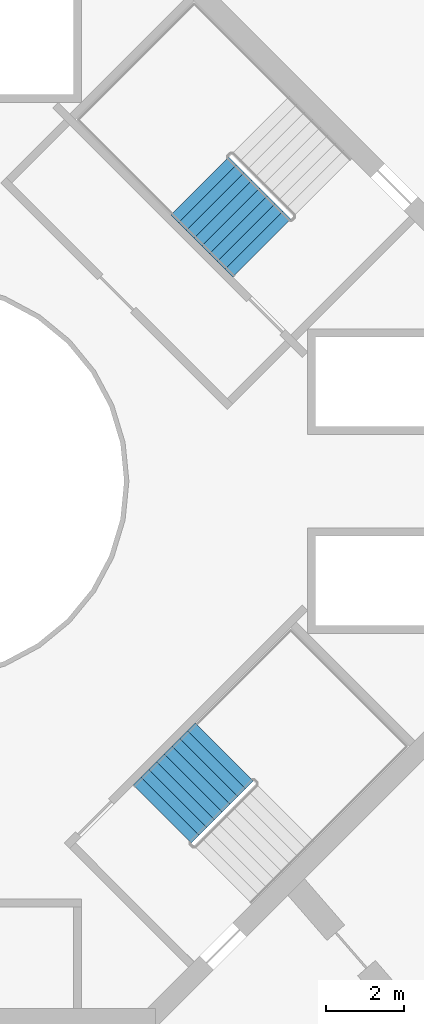
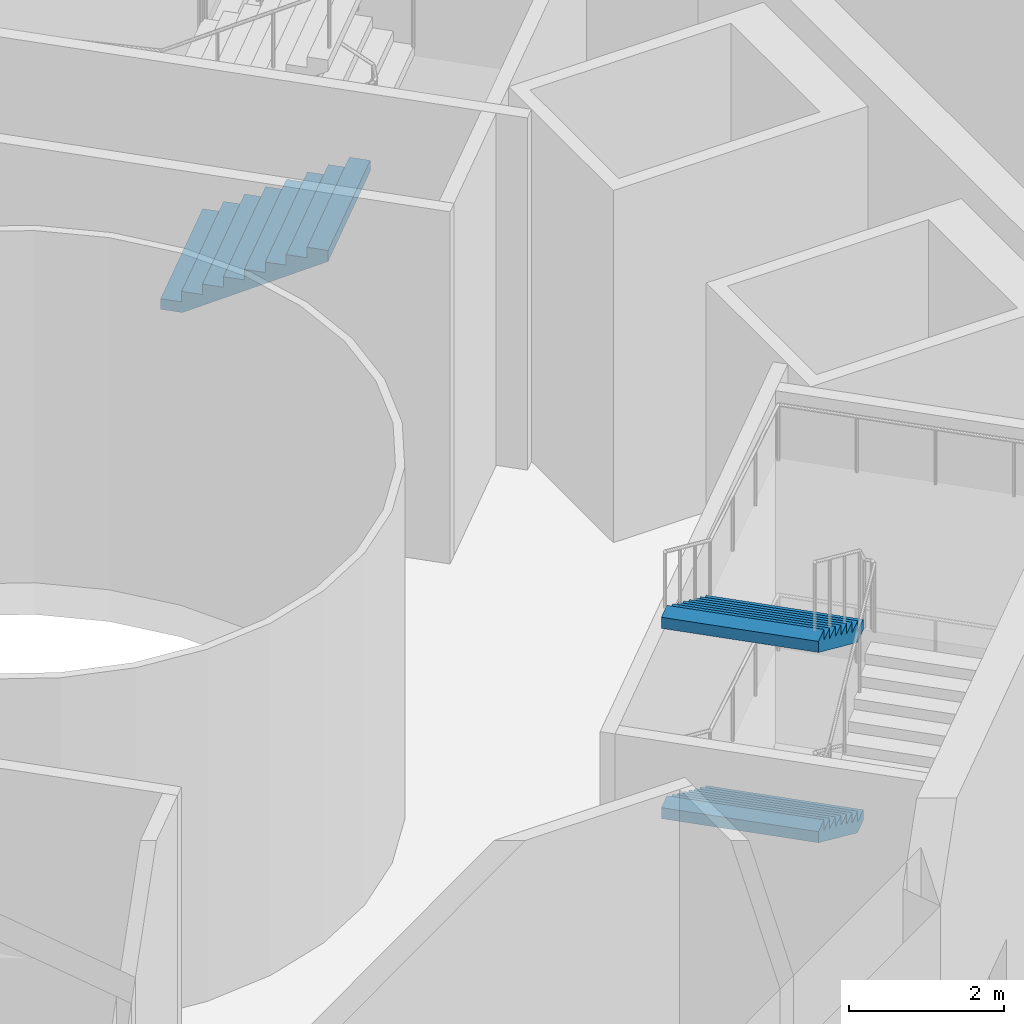
# One storey, part 12 of 16: 3 stair flights, 2 elements without a shape of their own.
"""IFC4 building model written with IfcOpenShell, lengths in metres."""

from ifc_helpers import new_model, si_unit, direction, frame, origin, place, context, subcontext, project, spatial, triangles, material, type_object, element, aggregate, save


model = new_model("IFC4")

# Units and contexts
model_context = context("Model", 3, precision=1e-05, world=origin(), true_north=direction((0.0, 1.0)))
body_context = subcontext(model_context, "Body", "Model", "MODEL_VIEW")
ifc_project = project(units=[si_unit("LENGTHUNIT", "METRE"), si_unit("AREAUNIT", "SQUARE_METRE"), si_unit("VOLUMEUNIT", "CUBIC_METRE"), si_unit("PLANEANGLEUNIT", "RADIAN"), si_unit("MASSUNIT", "GRAM", prefix="KILO")], contexts=[model_context])

# Site, building, storey
site_placement = place(None, origin())
site = spatial("IfcSite", under=ifc_project, at=site_placement, CompositionType="ELEMENT")
building_placement = place(site_placement, origin())
building = spatial("IfcBuilding", under=site, at=building_placement, Name="Verdalira Terraces Hotel", CompositionType="ELEMENT")
storey_placement = place(building_placement, frame((0.0, 0.0, 263.0)))
storey = spatial("IfcBuildingStorey", under=building, at=storey_placement, Name="L65", CompositionType="ELEMENT", Elevation=263.0)

# Stair, stair flight
ifc_material_1 = material(Name="Concrete C40", Category="concrete")
stair_type = type_object("IfcStairType", Name="Core stair 36 risers 2100 mm wide", PredefinedType="HALF_TURN_STAIR", material=ifc_material_1)
stair_1_placement = place(storey_placement, origin())
stair_1 = element("IfcStair", 1, at=stair_1_placement, inside=storey, type_object=stair_type, Name="L65 Exit stair ST1", PredefinedType="HALF_TURN_STAIR")
ifc_material_2 = material(Name="Concrete C40", Category="concrete")
stair_flight_type = type_object("IfcStairFlightType", Name="Core stair flight 36 risers 2100 mm wide", PredefinedType="STRAIGHT", material=ifc_material_2)
stair_flight_1_placement = place(storey_placement, frame((6.936768, 7.559082, 1.5), z_axis=(0.0, 0.0, 1.0), x_axis=(0.707106781, -0.707106781, 0.0)))
stair_flight_1 = element("IfcStairFlight", 2, at=stair_flight_1_placement, type_object=stair_flight_type, Name="ST1 flight 2", NumberOfRisers=9, NumberOfTreads=8, PredefinedType="STRAIGHT", RiserHeight=0.166666667, TreadLength=0.28, context=body_context, shape_type="Tessellation", body=[
    triangles([(0.0, 1.050049, 0.0), (0.292969, 1.050049, 0.0), (2.23999, 1.050049, 1.158936), (0.0, -1.050049, 0.0), (0.292969, -1.050049, 0.0), (2.23999, -1.050049, 1.158936), (2.23999, 1.050049, 1.333252), (1.959961, 1.050049, 1.333252), (2.23999, -1.050049, 1.333252), (1.959961, -1.050049, 1.333252), (1.959961, 1.050049, 1.166748), (1.959961, -1.050049, 1.166748), (1.679932, 1.050049, 1.166748), (1.679932, -1.050049, 1.166748), (1.679932, 1.050049, 1.0), (1.679932, -1.050049, 1.0), (1.399902, 1.050049, 1.0), (1.399902, 1.050049, 0.833252), (1.399902, -1.050049, 1.0), (1.399902, -1.050049, 0.833252), (1.120117, 1.050049, 0.833252), (1.120117, 1.050049, 0.666748), (1.120117, -1.050049, 0.833252), (1.120117, -1.050049, 0.666748), (0.840088, 1.050049, 0.666748), (0.840088, 1.050049, 0.5), (0.840088, -1.050049, 0.666748), (0.840088, -1.050049, 0.5), (0.560059, 1.050049, 0.5), (0.560059, 1.050049, 0.333252), (0.560059, -1.050049, 0.5), (0.560059, -1.050049, 0.333252), (0.280029, 1.050049, 0.333252), (0.280029, 1.050049, 0.166748), (0.280029, -1.050049, 0.333252), (0.280029, -1.050049, 0.166748), (0.0, 1.050049, 0.166748), (0.0, -1.050049, 0.166748), (0.0, -0.984421, 0.0), (0.0, -0.984421, 0.166748), (0.0, -0.918793, 0.0), (0.0, -0.918793, 0.166748), (0.0, -0.853165, 0.0), (0.0, -0.853165, 0.166748), (0.0, -0.787537, 0.0), (0.0, -0.787537, 0.166748), (0.0, -0.721909, 0.0), (0.0, -0.721909, 0.166748), (0.0, -0.656281, 0.0), (0.0, -0.656281, 0.166748), (0.0, -0.590652, 0.0), (0.0, -0.590652, 0.166748), (0.0, -0.525024, 0.0), (0.0, -0.525024, 0.166748), (0.0, -0.459396, 0.0), (0.0, -0.459396, 0.166748), (0.0, -0.393768, 0.0), (0.0, -0.393768, 0.166748), (0.0, -0.32814, 0.0), (0.0, -0.32814, 0.166748), (0.0, -0.262512, 0.0), (0.0, -0.262512, 0.166748), (0.0, -0.196884, 0.0), (0.0, -0.196884, 0.166748), (0.0, -0.131256, 0.0), (0.0, -0.131256, 0.166748), (0.0, -0.065628, 0.0), (0.0, -0.065628, 0.166748), (0.0, 0.0, 0.0), (0.0, 0.0, 0.166748), (0.0, 0.065628, 0.0), (0.0, 0.065628, 0.166748), (0.0, 0.131256, 0.0), (0.0, 0.131256, 0.166748), (0.0, 0.196884, 0.0), (0.0, 0.196884, 0.166748), (0.0, 0.262512, 0.0), (0.0, 0.262512, 0.166748), (0.0, 0.32814, 0.0), (0.0, 0.32814, 0.166748), (0.0, 0.393768, 0.0), (0.0, 0.393768, 0.166748), (0.0, 0.459396, 0.0), (0.0, 0.459396, 0.166748), (0.0, 0.525024, 0.0), (0.0, 0.525024, 0.166748), (0.0, 0.590652, 0.0), (0.0, 0.590652, 0.166748), (0.0, 0.656281, 0.0), (0.0, 0.656281, 0.166748), (0.0, 0.721909, 0.0), (0.0, 0.721909, 0.166748), (0.0, 0.787537, 0.0), (0.0, 0.787537, 0.166748), (0.0, 0.853165, 0.0), (0.0, 0.853165, 0.166748), (0.0, 0.918793, 0.0), (0.0, 0.918793, 0.166748), (0.0, 0.984421, 0.0), (0.0, 0.984421, 0.166748), (2.23999, -0.984421, 1.333252), (2.23999, -0.918793, 1.333252), (2.23999, -0.853165, 1.333252), (2.23999, -0.787537, 1.333252), (2.23999, -0.721909, 1.333252), (2.23999, -0.656281, 1.333252), (2.23999, -0.590652, 1.333252), (2.23999, -0.525024, 1.333252), (2.23999, -0.459396, 1.333252), (2.23999, -0.393768, 1.333252), (2.23999, -0.32814, 1.333252), (2.23999, -0.262512, 1.333252), (2.23999, -0.196884, 1.333252), (2.23999, -0.131256, 1.333252), (2.23999, -0.065628, 1.333252), (2.23999, 0.0, 1.333252), (2.23999, 0.065628, 1.333252), (2.23999, 0.131256, 1.333252), (2.23999, 0.196884, 1.333252), (2.23999, 0.262512, 1.333252), (2.23999, 0.32814, 1.333252), (2.23999, 0.393768, 1.333252), (2.23999, 0.459396, 1.333252), (2.23999, 0.525024, 1.333252), (2.23999, 0.590652, 1.333252), (2.23999, 0.656281, 1.333252), (2.23999, 0.721909, 1.333252), (2.23999, 0.787537, 1.333252), (2.23999, 0.853165, 1.333252), (2.23999, 0.918793, 1.333252), (2.23999, 0.984421, 1.333252), (2.23999, -0.984421, 1.158936), (2.23999, -0.918793, 1.158936), (2.23999, -0.853165, 1.158936), (2.23999, -0.787537, 1.158936), (2.23999, -0.721909, 1.158936), (2.23999, -0.656281, 1.158936), (2.23999, -0.590652, 1.158936), (2.23999, -0.525024, 1.158936), (2.23999, -0.459396, 1.158936), (2.23999, -0.393768, 1.158936), (2.23999, -0.32814, 1.158936), (2.23999, -0.262512, 1.158936), (2.23999, -0.196884, 1.158936), (2.23999, -0.131256, 1.158936), (2.23999, -0.065628, 1.158936), (2.23999, 0.0, 1.158936), (2.23999, 0.065628, 1.158936), (2.23999, 0.131256, 1.158936), (2.23999, 0.196884, 1.158936), (2.23999, 0.262512, 1.158936), (2.23999, 0.32814, 1.158936), (2.23999, 0.393768, 1.158936), (2.23999, 0.459396, 1.158936), (2.23999, 0.525024, 1.158936), (2.23999, 0.590652, 1.158936), (2.23999, 0.656281, 1.158936), (2.23999, 0.721909, 1.158936), (2.23999, 0.787537, 1.158936), (2.23999, 0.853165, 1.158936), (2.23999, 0.918793, 1.158936), (2.23999, 0.984421, 1.158936)], [[1, 3, 2], [4, 5, 6], [3, 8, 7], [6, 9, 10], [3, 11, 8], [6, 10, 12], [3, 13, 11], [6, 12, 14], [3, 15, 13], [6, 14, 16], [15, 18, 17], [16, 19, 20], [3, 18, 15], [6, 16, 20], [18, 22, 21], [20, 23, 24], [3, 22, 18], [6, 20, 24], [22, 26, 25], [24, 27, 28], [3, 26, 22], [6, 24, 28], [26, 30, 29], [28, 31, 32], [3, 30, 26], [6, 28, 32], [1, 30, 3], [4, 6, 32], [30, 34, 33], [32, 35, 36], [1, 34, 30], [4, 32, 36], [34, 1, 37], [36, 38, 4], [4, 40, 39], [4, 38, 40], [39, 42, 41], [39, 40, 42], [41, 44, 43], [41, 42, 44], [43, 46, 45], [43, 44, 46], [45, 48, 47], [45, 46, 48], [47, 50, 49], [47, 48, 50], [49, 52, 51], [49, 50, 52], [51, 54, 53], [51, 52, 54], [53, 56, 55], [53, 54, 56], [55, 58, 57], [55, 56, 58], [57, 60, 59], [57, 58, 60], [59, 62, 61], [59, 60, 62], [61, 64, 63], [61, 62, 64], [63, 66, 65], [63, 64, 66], [65, 68, 67], [65, 66, 68], [67, 70, 69], [67, 68, 70], [69, 72, 71], [69, 70, 72], [71, 74, 73], [71, 72, 74], [73, 76, 75], [73, 74, 76], [75, 78, 77], [75, 76, 78], [77, 80, 79], [77, 78, 80], [79, 82, 81], [79, 80, 82], [81, 84, 83], [81, 82, 84], [83, 86, 85], [83, 84, 86], [85, 88, 87], [85, 86, 88], [87, 90, 89], [87, 88, 90], [89, 92, 91], [89, 90, 92], [91, 94, 93], [91, 92, 94], [93, 96, 95], [93, 94, 96], [95, 98, 97], [95, 96, 98], [97, 100, 99], [97, 98, 100], [99, 37, 1], [99, 100, 37], [38, 36, 40], [40, 36, 42], [42, 36, 44], [44, 36, 46], [46, 36, 48], [48, 36, 50], [50, 36, 52], [52, 36, 54], [54, 36, 56], [56, 36, 58], [58, 36, 60], [60, 36, 62], [62, 36, 64], [64, 36, 66], [66, 36, 68], [68, 36, 70], [70, 36, 72], [72, 36, 74], [74, 36, 76], [76, 36, 78], [78, 36, 80], [80, 36, 82], [82, 36, 84], [84, 36, 86], [86, 36, 88], [88, 36, 90], [90, 36, 92], [92, 36, 94], [94, 36, 96], [96, 36, 98], [98, 36, 100], [100, 36, 37], [37, 36, 34], [36, 33, 34], [36, 35, 33], [35, 30, 33], [35, 32, 30], [32, 29, 30], [32, 31, 29], [31, 26, 29], [31, 28, 26], [28, 25, 26], [28, 27, 25], [27, 22, 25], [27, 24, 22], [24, 21, 22], [24, 23, 21], [23, 18, 21], [23, 20, 18], [20, 17, 18], [20, 19, 17], [19, 15, 17], [19, 16, 15], [16, 13, 15], [16, 14, 13], [14, 11, 13], [14, 12, 11], [12, 8, 11], [12, 10, 8], [9, 101, 10], [101, 102, 10], [102, 103, 10], [103, 104, 10], [104, 105, 10], [105, 106, 10], [106, 107, 10], [107, 108, 10], [108, 109, 10], [109, 110, 10], [110, 111, 10], [111, 112, 10], [112, 113, 10], [113, 114, 10], [114, 115, 10], [115, 116, 10], [116, 117, 10], [117, 118, 10], [118, 119, 10], [119, 120, 10], [120, 121, 10], [121, 122, 10], [122, 123, 10], [123, 124, 10], [124, 125, 10], [125, 126, 10], [126, 127, 10], [127, 128, 10], [128, 129, 10], [129, 130, 10], [130, 131, 10], [131, 7, 10], [7, 8, 10], [9, 132, 101], [9, 6, 132], [101, 133, 102], [101, 132, 133], [102, 134, 103], [102, 133, 134], [103, 135, 104], [103, 134, 135], [104, 136, 105], [104, 135, 136], [105, 137, 106], [105, 136, 137], [106, 138, 107], [106, 137, 138], [107, 139, 108], [107, 138, 139], [108, 140, 109], [108, 139, 140], [109, 141, 110], [109, 140, 141], [110, 142, 111], [110, 141, 142], [111, 143, 112], [111, 142, 143], [112, 144, 113], [112, 143, 144], [113, 145, 114], [113, 144, 145], [114, 146, 115], [114, 145, 146], [115, 147, 116], [115, 146, 147], [116, 148, 117], [116, 147, 148], [117, 149, 118], [117, 148, 149], [118, 150, 119], [118, 149, 150], [119, 151, 120], [119, 150, 151], [120, 152, 121], [120, 151, 152], [121, 153, 122], [121, 152, 153], [122, 154, 123], [122, 153, 154], [123, 155, 124], [123, 154, 155], [124, 156, 125], [124, 155, 156], [125, 157, 126], [125, 156, 157], [126, 158, 127], [126, 157, 158], [127, 159, 128], [127, 158, 159], [128, 160, 129], [128, 159, 160], [129, 161, 130], [129, 160, 161], [130, 162, 131], [130, 161, 162], [131, 3, 7], [131, 162, 3], [6, 5, 132], [132, 5, 133], [133, 5, 134], [134, 5, 135], [135, 5, 136], [136, 5, 137], [137, 5, 138], [138, 5, 139], [139, 5, 140], [140, 5, 141], [141, 5, 142], [142, 5, 143], [143, 5, 144], [144, 5, 145], [145, 5, 146], [146, 5, 147], [147, 5, 148], [148, 5, 149], [149, 5, 150], [150, 5, 151], [151, 5, 152], [152, 5, 153], [153, 5, 154], [154, 5, 155], [155, 5, 156], [156, 5, 157], [157, 5, 158], [158, 5, 159], [159, 5, 160], [160, 5, 161], [161, 5, 162], [162, 5, 3], [3, 5, 2], [4, 39, 5], [39, 41, 5], [41, 43, 5], [43, 45, 5], [45, 47, 5], [47, 49, 5], [49, 51, 5], [51, 53, 5], [53, 55, 5], [55, 57, 5], [57, 59, 5], [59, 61, 5], [61, 63, 5], [63, 65, 5], [65, 67, 5], [67, 69, 5], [69, 71, 5], [71, 73, 5], [73, 75, 5], [75, 77, 5], [77, 79, 5], [79, 81, 5], [81, 83, 5], [83, 85, 5], [85, 87, 5], [87, 89, 5], [89, 91, 5], [91, 93, 5], [93, 95, 5], [95, 97, 5], [97, 99, 5], [99, 1, 5], [1, 2, 5]], closed=True),
])
aggregate(stair_1, [stair_flight_1])

# Stair, stair flights
stair_2_placement = place(storey_placement, origin())
stair_2 = element("IfcStair", 3, at=stair_2_placement, inside=storey, type_object=stair_type, Name="L65 Exit stair ST3", PredefinedType="HALF_TURN_STAIR")
stair_flight_2_placement = place(storey_placement, frame((7.559082, -6.936768, 1.5), z_axis=(0.0, 0.0, 1.0), x_axis=(-0.707106781, -0.707106781, 0.0)))
stair_flight_2 = element("IfcStairFlight", 4, at=stair_flight_2_placement, type_object=stair_flight_type, Name="ST3 flight 2", NumberOfRisers=9, NumberOfTreads=8, PredefinedType="STRAIGHT", RiserHeight=0.166666667, TreadLength=0.28, context=body_context, shape_type="Tessellation", body=[
    triangles([(0.0, 1.050049, 0.0), (0.292969, 1.050049, 0.0), (2.23999, 1.050049, 1.158936), (0.0, -1.050049, 0.0), (0.292969, -1.050049, 0.0), (2.23999, -1.050049, 1.158936), (2.23999, 1.050049, 1.333252), (1.959961, 1.050049, 1.333252), (2.23999, -1.050049, 1.333252), (1.959961, -1.050049, 1.333252), (1.959961, 1.050049, 1.166748), (1.959961, -1.050049, 1.166748), (1.679932, 1.050049, 1.166748), (1.679932, -1.050049, 1.166748), (1.679932, 1.050049, 1.0), (1.679932, -1.050049, 1.0), (1.399902, 1.050049, 1.0), (1.399902, 1.050049, 0.833252), (1.399902, -1.050049, 1.0), (1.399902, -1.050049, 0.833252), (1.120117, 1.050049, 0.833252), (1.120117, 1.050049, 0.666748), (1.120117, -1.050049, 0.833252), (1.120117, -1.050049, 0.666748), (0.840088, 1.050049, 0.666748), (0.840088, 1.050049, 0.5), (0.840088, -1.050049, 0.666748), (0.840088, -1.050049, 0.5), (0.560059, 1.050049, 0.5), (0.560059, 1.050049, 0.333252), (0.560059, -1.050049, 0.5), (0.560059, -1.050049, 0.333252), (0.280029, 1.050049, 0.333252), (0.280029, 1.050049, 0.166748), (0.280029, -1.050049, 0.333252), (0.280029, -1.050049, 0.166748), (0.0, 1.050049, 0.166748), (0.0, -1.050049, 0.166748), (0.0, -0.984421, 0.0), (0.0, -0.984421, 0.166748), (0.0, -0.918793, 0.0), (0.0, -0.918793, 0.166748), (0.0, -0.853165, 0.0), (0.0, -0.853165, 0.166748), (0.0, -0.787537, 0.0), (0.0, -0.787537, 0.166748), (0.0, -0.721909, 0.0), (0.0, -0.721909, 0.166748), (0.0, -0.656281, 0.0), (0.0, -0.656281, 0.166748), (0.0, -0.590652, 0.0), (0.0, -0.590652, 0.166748), (0.0, -0.525024, 0.0), (0.0, -0.525024, 0.166748), (0.0, -0.459396, 0.0), (0.0, -0.459396, 0.166748), (0.0, -0.393768, 0.0), (0.0, -0.393768, 0.166748), (0.0, -0.32814, 0.0), (0.0, -0.32814, 0.166748), (0.0, -0.262512, 0.0), (0.0, -0.262512, 0.166748), (0.0, -0.196884, 0.0), (0.0, -0.196884, 0.166748), (0.0, -0.131256, 0.0), (0.0, -0.131256, 0.166748), (0.0, -0.065628, 0.0), (0.0, -0.065628, 0.166748), (0.0, 0.0, 0.0), (0.0, 0.0, 0.166748), (0.0, 0.065628, 0.0), (0.0, 0.065628, 0.166748), (0.0, 0.131256, 0.0), (0.0, 0.131256, 0.166748), (0.0, 0.196884, 0.0), (0.0, 0.196884, 0.166748), (0.0, 0.262512, 0.0), (0.0, 0.262512, 0.166748), (0.0, 0.32814, 0.0), (0.0, 0.32814, 0.166748), (0.0, 0.393768, 0.0), (0.0, 0.393768, 0.166748), (0.0, 0.459396, 0.0), (0.0, 0.459396, 0.166748), (0.0, 0.525024, 0.0), (0.0, 0.525024, 0.166748), (0.0, 0.590652, 0.0), (0.0, 0.590652, 0.166748), (0.0, 0.656281, 0.0), (0.0, 0.656281, 0.166748), (0.0, 0.721909, 0.0), (0.0, 0.721909, 0.166748), (0.0, 0.787537, 0.0), (0.0, 0.787537, 0.166748), (0.0, 0.853165, 0.0), (0.0, 0.853165, 0.166748), (0.0, 0.918793, 0.0), (0.0, 0.918793, 0.166748), (0.0, 0.984421, 0.0), (0.0, 0.984421, 0.166748), (2.23999, -0.984421, 1.333252), (2.23999, -0.918793, 1.333252), (2.23999, -0.853165, 1.333252), (2.23999, -0.787537, 1.333252), (2.23999, -0.721909, 1.333252), (2.23999, -0.656281, 1.333252), (2.23999, -0.590652, 1.333252), (2.23999, -0.525024, 1.333252), (2.23999, -0.459396, 1.333252), (2.23999, -0.393768, 1.333252), (2.23999, -0.32814, 1.333252), (2.23999, -0.262512, 1.333252), (2.23999, -0.196884, 1.333252), (2.23999, -0.131256, 1.333252), (2.23999, -0.065628, 1.333252), (2.23999, 0.0, 1.333252), (2.23999, 0.065628, 1.333252), (2.23999, 0.131256, 1.333252), (2.23999, 0.196884, 1.333252), (2.23999, 0.262512, 1.333252), (2.23999, 0.32814, 1.333252), (2.23999, 0.393768, 1.333252), (2.23999, 0.459396, 1.333252), (2.23999, 0.525024, 1.333252), (2.23999, 0.590652, 1.333252), (2.23999, 0.656281, 1.333252), (2.23999, 0.721909, 1.333252), (2.23999, 0.787537, 1.333252), (2.23999, 0.853165, 1.333252), (2.23999, 0.918793, 1.333252), (2.23999, 0.984421, 1.333252), (2.23999, -0.984421, 1.158936), (2.23999, -0.918793, 1.158936), (2.23999, -0.853165, 1.158936), (2.23999, -0.787537, 1.158936), (2.23999, -0.721909, 1.158936), (2.23999, -0.656281, 1.158936), (2.23999, -0.590652, 1.158936), (2.23999, -0.525024, 1.158936), (2.23999, -0.459396, 1.158936), (2.23999, -0.393768, 1.158936), (2.23999, -0.32814, 1.158936), (2.23999, -0.262512, 1.158936), (2.23999, -0.196884, 1.158936), (2.23999, -0.131256, 1.158936), (2.23999, -0.065628, 1.158936), (2.23999, 0.0, 1.158936), (2.23999, 0.065628, 1.158936), (2.23999, 0.131256, 1.158936), (2.23999, 0.196884, 1.158936), (2.23999, 0.262512, 1.158936), (2.23999, 0.32814, 1.158936), (2.23999, 0.393768, 1.158936), (2.23999, 0.459396, 1.158936), (2.23999, 0.525024, 1.158936), (2.23999, 0.590652, 1.158936), (2.23999, 0.656281, 1.158936), (2.23999, 0.721909, 1.158936), (2.23999, 0.787537, 1.158936), (2.23999, 0.853165, 1.158936), (2.23999, 0.918793, 1.158936), (2.23999, 0.984421, 1.158936)], [[1, 3, 2], [4, 5, 6], [3, 8, 7], [6, 9, 10], [3, 11, 8], [6, 10, 12], [3, 13, 11], [6, 12, 14], [3, 15, 13], [6, 14, 16], [15, 18, 17], [16, 19, 20], [3, 18, 15], [6, 16, 20], [18, 22, 21], [20, 23, 24], [3, 22, 18], [6, 20, 24], [22, 26, 25], [24, 27, 28], [3, 26, 22], [6, 24, 28], [26, 30, 29], [28, 31, 32], [3, 30, 26], [6, 28, 32], [1, 30, 3], [4, 6, 32], [30, 34, 33], [32, 35, 36], [1, 34, 30], [4, 32, 36], [34, 1, 37], [36, 38, 4], [4, 40, 39], [4, 38, 40], [39, 42, 41], [39, 40, 42], [41, 44, 43], [41, 42, 44], [43, 46, 45], [43, 44, 46], [45, 48, 47], [45, 46, 48], [47, 50, 49], [47, 48, 50], [49, 52, 51], [49, 50, 52], [51, 54, 53], [51, 52, 54], [53, 56, 55], [53, 54, 56], [55, 58, 57], [55, 56, 58], [57, 60, 59], [57, 58, 60], [59, 62, 61], [59, 60, 62], [61, 64, 63], [61, 62, 64], [63, 66, 65], [63, 64, 66], [65, 68, 67], [65, 66, 68], [67, 70, 69], [67, 68, 70], [69, 72, 71], [69, 70, 72], [71, 74, 73], [71, 72, 74], [73, 76, 75], [73, 74, 76], [75, 78, 77], [75, 76, 78], [77, 80, 79], [77, 78, 80], [79, 82, 81], [79, 80, 82], [81, 84, 83], [81, 82, 84], [83, 86, 85], [83, 84, 86], [85, 88, 87], [85, 86, 88], [87, 90, 89], [87, 88, 90], [89, 92, 91], [89, 90, 92], [91, 94, 93], [91, 92, 94], [93, 96, 95], [93, 94, 96], [95, 98, 97], [95, 96, 98], [97, 100, 99], [97, 98, 100], [99, 37, 1], [99, 100, 37], [38, 36, 40], [40, 36, 42], [42, 36, 44], [44, 36, 46], [46, 36, 48], [48, 36, 50], [50, 36, 52], [52, 36, 54], [54, 36, 56], [56, 36, 58], [58, 36, 60], [60, 36, 62], [62, 36, 64], [64, 36, 66], [66, 36, 68], [68, 36, 70], [70, 36, 72], [72, 36, 74], [74, 36, 76], [76, 36, 78], [78, 36, 80], [80, 36, 82], [82, 36, 84], [84, 36, 86], [86, 36, 88], [88, 36, 90], [90, 36, 92], [92, 36, 94], [94, 36, 96], [96, 36, 98], [98, 36, 100], [100, 36, 37], [37, 36, 34], [36, 33, 34], [36, 35, 33], [35, 30, 33], [35, 32, 30], [32, 29, 30], [32, 31, 29], [31, 26, 29], [31, 28, 26], [28, 25, 26], [28, 27, 25], [27, 22, 25], [27, 24, 22], [24, 21, 22], [24, 23, 21], [23, 18, 21], [23, 20, 18], [20, 17, 18], [20, 19, 17], [19, 15, 17], [19, 16, 15], [16, 13, 15], [16, 14, 13], [14, 11, 13], [14, 12, 11], [12, 8, 11], [12, 10, 8], [9, 101, 10], [101, 102, 10], [102, 103, 10], [103, 104, 10], [104, 105, 10], [105, 106, 10], [106, 107, 10], [107, 108, 10], [108, 109, 10], [109, 110, 10], [110, 111, 10], [111, 112, 10], [112, 113, 10], [113, 114, 10], [114, 115, 10], [115, 116, 10], [116, 117, 10], [117, 118, 10], [118, 119, 10], [119, 120, 10], [120, 121, 10], [121, 122, 10], [122, 123, 10], [123, 124, 10], [124, 125, 10], [125, 126, 10], [126, 127, 10], [127, 128, 10], [128, 129, 10], [129, 130, 10], [130, 131, 10], [131, 7, 10], [7, 8, 10], [9, 132, 101], [9, 6, 132], [101, 133, 102], [101, 132, 133], [102, 134, 103], [102, 133, 134], [103, 135, 104], [103, 134, 135], [104, 136, 105], [104, 135, 136], [105, 137, 106], [105, 136, 137], [106, 138, 107], [106, 137, 138], [107, 139, 108], [107, 138, 139], [108, 140, 109], [108, 139, 140], [109, 141, 110], [109, 140, 141], [110, 142, 111], [110, 141, 142], [111, 143, 112], [111, 142, 143], [112, 144, 113], [112, 143, 144], [113, 145, 114], [113, 144, 145], [114, 146, 115], [114, 145, 146], [115, 147, 116], [115, 146, 147], [116, 148, 117], [116, 147, 148], [117, 149, 118], [117, 148, 149], [118, 150, 119], [118, 149, 150], [119, 151, 120], [119, 150, 151], [120, 152, 121], [120, 151, 152], [121, 153, 122], [121, 152, 153], [122, 154, 123], [122, 153, 154], [123, 155, 124], [123, 154, 155], [124, 156, 125], [124, 155, 156], [125, 157, 126], [125, 156, 157], [126, 158, 127], [126, 157, 158], [127, 159, 128], [127, 158, 159], [128, 160, 129], [128, 159, 160], [129, 161, 130], [129, 160, 161], [130, 162, 131], [130, 161, 162], [131, 3, 7], [131, 162, 3], [6, 5, 132], [132, 5, 133], [133, 5, 134], [134, 5, 135], [135, 5, 136], [136, 5, 137], [137, 5, 138], [138, 5, 139], [139, 5, 140], [140, 5, 141], [141, 5, 142], [142, 5, 143], [143, 5, 144], [144, 5, 145], [145, 5, 146], [146, 5, 147], [147, 5, 148], [148, 5, 149], [149, 5, 150], [150, 5, 151], [151, 5, 152], [152, 5, 153], [153, 5, 154], [154, 5, 155], [155, 5, 156], [156, 5, 157], [157, 5, 158], [158, 5, 159], [159, 5, 160], [160, 5, 161], [161, 5, 162], [162, 5, 3], [3, 5, 2], [4, 39, 5], [39, 41, 5], [41, 43, 5], [43, 45, 5], [45, 47, 5], [47, 49, 5], [49, 51, 5], [51, 53, 5], [53, 55, 5], [55, 57, 5], [57, 59, 5], [59, 61, 5], [61, 63, 5], [63, 65, 5], [65, 67, 5], [67, 69, 5], [69, 71, 5], [71, 73, 5], [73, 75, 5], [75, 77, 5], [77, 79, 5], [79, 81, 5], [81, 83, 5], [83, 85, 5], [85, 87, 5], [87, 89, 5], [89, 91, 5], [91, 93, 5], [93, 95, 5], [95, 97, 5], [97, 99, 5], [99, 1, 5], [1, 2, 5]], closed=True),
])
stair_flight_3_placement = place(storey_placement, frame((7.559082, -6.936768, 4.5), z_axis=(0.0, 0.0, 1.0), x_axis=(-0.707106781, -0.707106781, 0.0)))
stair_flight_3 = element("IfcStairFlight", 5, at=stair_flight_3_placement, type_object=stair_flight_type, Name="ST3 flight 4", NumberOfRisers=9, NumberOfTreads=8, PredefinedType="STRAIGHT", RiserHeight=0.166666667, TreadLength=0.28, context=body_context, shape_type="Tessellation", body=[
    triangles([(0.0, 1.050049, 0.0), (0.292969, 1.050049, 0.0), (2.23999, 1.050049, 1.158936), (0.0, -1.050049, 0.0), (0.292969, -1.050049, 0.0), (2.23999, -1.050049, 1.158936), (2.23999, 1.050049, 1.333252), (1.959961, 1.050049, 1.333252), (2.23999, -1.050049, 1.333252), (1.959961, -1.050049, 1.333252), (1.959961, 1.050049, 1.166748), (1.959961, -1.050049, 1.166748), (1.679932, 1.050049, 1.166748), (1.679932, -1.050049, 1.166748), (1.679932, 1.050049, 1.0), (1.679932, -1.050049, 1.0), (1.399902, 1.050049, 1.0), (1.399902, 1.050049, 0.833252), (1.399902, -1.050049, 1.0), (1.399902, -1.050049, 0.833252), (1.120117, 1.050049, 0.833252), (1.120117, 1.050049, 0.666748), (1.120117, -1.050049, 0.833252), (1.120117, -1.050049, 0.666748), (0.840088, 1.050049, 0.666748), (0.840088, 1.050049, 0.5), (0.840088, -1.050049, 0.666748), (0.840088, -1.050049, 0.5), (0.560059, 1.050049, 0.5), (0.560059, 1.050049, 0.333252), (0.560059, -1.050049, 0.5), (0.560059, -1.050049, 0.333252), (0.280029, 1.050049, 0.333252), (0.280029, 1.050049, 0.166748), (0.280029, -1.050049, 0.333252), (0.280029, -1.050049, 0.166748), (0.0, 1.050049, 0.166748), (0.0, -1.050049, 0.166748), (0.0, -0.984421, 0.0), (0.0, -0.984421, 0.166748), (0.0, -0.918793, 0.0), (0.0, -0.918793, 0.166748), (0.0, -0.853165, 0.0), (0.0, -0.853165, 0.166748), (0.0, -0.787537, 0.0), (0.0, -0.787537, 0.166748), (0.0, -0.721909, 0.0), (0.0, -0.721909, 0.166748), (0.0, -0.656281, 0.0), (0.0, -0.656281, 0.166748), (0.0, -0.590652, 0.0), (0.0, -0.590652, 0.166748), (0.0, -0.525024, 0.0), (0.0, -0.525024, 0.166748), (0.0, -0.459396, 0.0), (0.0, -0.459396, 0.166748), (0.0, -0.393768, 0.0), (0.0, -0.393768, 0.166748), (0.0, -0.32814, 0.0), (0.0, -0.32814, 0.166748), (0.0, -0.262512, 0.0), (0.0, -0.262512, 0.166748), (0.0, -0.196884, 0.0), (0.0, -0.196884, 0.166748), (0.0, -0.131256, 0.0), (0.0, -0.131256, 0.166748), (0.0, -0.065628, 0.0), (0.0, -0.065628, 0.166748), (0.0, 0.0, 0.0), (0.0, 0.0, 0.166748), (0.0, 0.065628, 0.0), (0.0, 0.065628, 0.166748), (0.0, 0.131256, 0.0), (0.0, 0.131256, 0.166748), (0.0, 0.196884, 0.0), (0.0, 0.196884, 0.166748), (0.0, 0.262512, 0.0), (0.0, 0.262512, 0.166748), (0.0, 0.32814, 0.0), (0.0, 0.32814, 0.166748), (0.0, 0.393768, 0.0), (0.0, 0.393768, 0.166748), (0.0, 0.459396, 0.0), (0.0, 0.459396, 0.166748), (0.0, 0.525024, 0.0), (0.0, 0.525024, 0.166748), (0.0, 0.590652, 0.0), (0.0, 0.590652, 0.166748), (0.0, 0.656281, 0.0), (0.0, 0.656281, 0.166748), (0.0, 0.721909, 0.0), (0.0, 0.721909, 0.166748), (0.0, 0.787537, 0.0), (0.0, 0.787537, 0.166748), (0.0, 0.853165, 0.0), (0.0, 0.853165, 0.166748), (0.0, 0.918793, 0.0), (0.0, 0.918793, 0.166748), (0.0, 0.984421, 0.0), (0.0, 0.984421, 0.166748), (2.23999, -0.984421, 1.333252), (2.23999, -0.918793, 1.333252), (2.23999, -0.853165, 1.333252), (2.23999, -0.787537, 1.333252), (2.23999, -0.721909, 1.333252), (2.23999, -0.656281, 1.333252), (2.23999, -0.590652, 1.333252), (2.23999, -0.525024, 1.333252), (2.23999, -0.459396, 1.333252), (2.23999, -0.393768, 1.333252), (2.23999, -0.32814, 1.333252), (2.23999, -0.262512, 1.333252), (2.23999, -0.196884, 1.333252), (2.23999, -0.131256, 1.333252), (2.23999, -0.065628, 1.333252), (2.23999, 0.0, 1.333252), (2.23999, 0.065628, 1.333252), (2.23999, 0.131256, 1.333252), (2.23999, 0.196884, 1.333252), (2.23999, 0.262512, 1.333252), (2.23999, 0.32814, 1.333252), (2.23999, 0.393768, 1.333252), (2.23999, 0.459396, 1.333252), (2.23999, 0.525024, 1.333252), (2.23999, 0.590652, 1.333252), (2.23999, 0.656281, 1.333252), (2.23999, 0.721909, 1.333252), (2.23999, 0.787537, 1.333252), (2.23999, 0.853165, 1.333252), (2.23999, 0.918793, 1.333252), (2.23999, 0.984421, 1.333252), (2.23999, -0.984421, 1.158936), (2.23999, -0.918793, 1.158936), (2.23999, -0.853165, 1.158936), (2.23999, -0.787537, 1.158936), (2.23999, -0.721909, 1.158936), (2.23999, -0.656281, 1.158936), (2.23999, -0.590652, 1.158936), (2.23999, -0.525024, 1.158936), (2.23999, -0.459396, 1.158936), (2.23999, -0.393768, 1.158936), (2.23999, -0.32814, 1.158936), (2.23999, -0.262512, 1.158936), (2.23999, -0.196884, 1.158936), (2.23999, -0.131256, 1.158936), (2.23999, -0.065628, 1.158936), (2.23999, 0.0, 1.158936), (2.23999, 0.065628, 1.158936), (2.23999, 0.131256, 1.158936), (2.23999, 0.196884, 1.158936), (2.23999, 0.262512, 1.158936), (2.23999, 0.32814, 1.158936), (2.23999, 0.393768, 1.158936), (2.23999, 0.459396, 1.158936), (2.23999, 0.525024, 1.158936), (2.23999, 0.590652, 1.158936), (2.23999, 0.656281, 1.158936), (2.23999, 0.721909, 1.158936), (2.23999, 0.787537, 1.158936), (2.23999, 0.853165, 1.158936), (2.23999, 0.918793, 1.158936), (2.23999, 0.984421, 1.158936)], [[1, 3, 2], [4, 5, 6], [3, 8, 7], [6, 9, 10], [3, 11, 8], [6, 10, 12], [3, 13, 11], [6, 12, 14], [3, 15, 13], [6, 14, 16], [15, 18, 17], [16, 19, 20], [3, 18, 15], [6, 16, 20], [18, 22, 21], [20, 23, 24], [3, 22, 18], [6, 20, 24], [22, 26, 25], [24, 27, 28], [3, 26, 22], [6, 24, 28], [26, 30, 29], [28, 31, 32], [3, 30, 26], [6, 28, 32], [1, 30, 3], [4, 6, 32], [30, 34, 33], [32, 35, 36], [1, 34, 30], [4, 32, 36], [34, 1, 37], [36, 38, 4], [4, 40, 39], [4, 38, 40], [39, 42, 41], [39, 40, 42], [41, 44, 43], [41, 42, 44], [43, 46, 45], [43, 44, 46], [45, 48, 47], [45, 46, 48], [47, 50, 49], [47, 48, 50], [49, 52, 51], [49, 50, 52], [51, 54, 53], [51, 52, 54], [53, 56, 55], [53, 54, 56], [55, 58, 57], [55, 56, 58], [57, 60, 59], [57, 58, 60], [59, 62, 61], [59, 60, 62], [61, 64, 63], [61, 62, 64], [63, 66, 65], [63, 64, 66], [65, 68, 67], [65, 66, 68], [67, 70, 69], [67, 68, 70], [69, 72, 71], [69, 70, 72], [71, 74, 73], [71, 72, 74], [73, 76, 75], [73, 74, 76], [75, 78, 77], [75, 76, 78], [77, 80, 79], [77, 78, 80], [79, 82, 81], [79, 80, 82], [81, 84, 83], [81, 82, 84], [83, 86, 85], [83, 84, 86], [85, 88, 87], [85, 86, 88], [87, 90, 89], [87, 88, 90], [89, 92, 91], [89, 90, 92], [91, 94, 93], [91, 92, 94], [93, 96, 95], [93, 94, 96], [95, 98, 97], [95, 96, 98], [97, 100, 99], [97, 98, 100], [99, 37, 1], [99, 100, 37], [38, 36, 40], [40, 36, 42], [42, 36, 44], [44, 36, 46], [46, 36, 48], [48, 36, 50], [50, 36, 52], [52, 36, 54], [54, 36, 56], [56, 36, 58], [58, 36, 60], [60, 36, 62], [62, 36, 64], [64, 36, 66], [66, 36, 68], [68, 36, 70], [70, 36, 72], [72, 36, 74], [74, 36, 76], [76, 36, 78], [78, 36, 80], [80, 36, 82], [82, 36, 84], [84, 36, 86], [86, 36, 88], [88, 36, 90], [90, 36, 92], [92, 36, 94], [94, 36, 96], [96, 36, 98], [98, 36, 100], [100, 36, 37], [37, 36, 34], [36, 33, 34], [36, 35, 33], [35, 30, 33], [35, 32, 30], [32, 29, 30], [32, 31, 29], [31, 26, 29], [31, 28, 26], [28, 25, 26], [28, 27, 25], [27, 22, 25], [27, 24, 22], [24, 21, 22], [24, 23, 21], [23, 18, 21], [23, 20, 18], [20, 17, 18], [20, 19, 17], [19, 15, 17], [19, 16, 15], [16, 13, 15], [16, 14, 13], [14, 11, 13], [14, 12, 11], [12, 8, 11], [12, 10, 8], [9, 101, 10], [101, 102, 10], [102, 103, 10], [103, 104, 10], [104, 105, 10], [105, 106, 10], [106, 107, 10], [107, 108, 10], [108, 109, 10], [109, 110, 10], [110, 111, 10], [111, 112, 10], [112, 113, 10], [113, 114, 10], [114, 115, 10], [115, 116, 10], [116, 117, 10], [117, 118, 10], [118, 119, 10], [119, 120, 10], [120, 121, 10], [121, 122, 10], [122, 123, 10], [123, 124, 10], [124, 125, 10], [125, 126, 10], [126, 127, 10], [127, 128, 10], [128, 129, 10], [129, 130, 10], [130, 131, 10], [131, 7, 10], [7, 8, 10], [9, 132, 101], [9, 6, 132], [101, 133, 102], [101, 132, 133], [102, 134, 103], [102, 133, 134], [103, 135, 104], [103, 134, 135], [104, 136, 105], [104, 135, 136], [105, 137, 106], [105, 136, 137], [106, 138, 107], [106, 137, 138], [107, 139, 108], [107, 138, 139], [108, 140, 109], [108, 139, 140], [109, 141, 110], [109, 140, 141], [110, 142, 111], [110, 141, 142], [111, 143, 112], [111, 142, 143], [112, 144, 113], [112, 143, 144], [113, 145, 114], [113, 144, 145], [114, 146, 115], [114, 145, 146], [115, 147, 116], [115, 146, 147], [116, 148, 117], [116, 147, 148], [117, 149, 118], [117, 148, 149], [118, 150, 119], [118, 149, 150], [119, 151, 120], [119, 150, 151], [120, 152, 121], [120, 151, 152], [121, 153, 122], [121, 152, 153], [122, 154, 123], [122, 153, 154], [123, 155, 124], [123, 154, 155], [124, 156, 125], [124, 155, 156], [125, 157, 126], [125, 156, 157], [126, 158, 127], [126, 157, 158], [127, 159, 128], [127, 158, 159], [128, 160, 129], [128, 159, 160], [129, 161, 130], [129, 160, 161], [130, 162, 131], [130, 161, 162], [131, 3, 7], [131, 162, 3], [6, 5, 132], [132, 5, 133], [133, 5, 134], [134, 5, 135], [135, 5, 136], [136, 5, 137], [137, 5, 138], [138, 5, 139], [139, 5, 140], [140, 5, 141], [141, 5, 142], [142, 5, 143], [143, 5, 144], [144, 5, 145], [145, 5, 146], [146, 5, 147], [147, 5, 148], [148, 5, 149], [149, 5, 150], [150, 5, 151], [151, 5, 152], [152, 5, 153], [153, 5, 154], [154, 5, 155], [155, 5, 156], [156, 5, 157], [157, 5, 158], [158, 5, 159], [159, 5, 160], [160, 5, 161], [161, 5, 162], [162, 5, 3], [3, 5, 2], [4, 39, 5], [39, 41, 5], [41, 43, 5], [43, 45, 5], [45, 47, 5], [47, 49, 5], [49, 51, 5], [51, 53, 5], [53, 55, 5], [55, 57, 5], [57, 59, 5], [59, 61, 5], [61, 63, 5], [63, 65, 5], [65, 67, 5], [67, 69, 5], [69, 71, 5], [71, 73, 5], [73, 75, 5], [75, 77, 5], [77, 79, 5], [79, 81, 5], [81, 83, 5], [83, 85, 5], [85, 87, 5], [87, 89, 5], [89, 91, 5], [91, 93, 5], [93, 95, 5], [95, 97, 5], [97, 99, 5], [99, 1, 5], [1, 2, 5]], closed=True),
])
aggregate(stair_2, [stair_flight_2, stair_flight_3])

save(model, "model.ifc")
